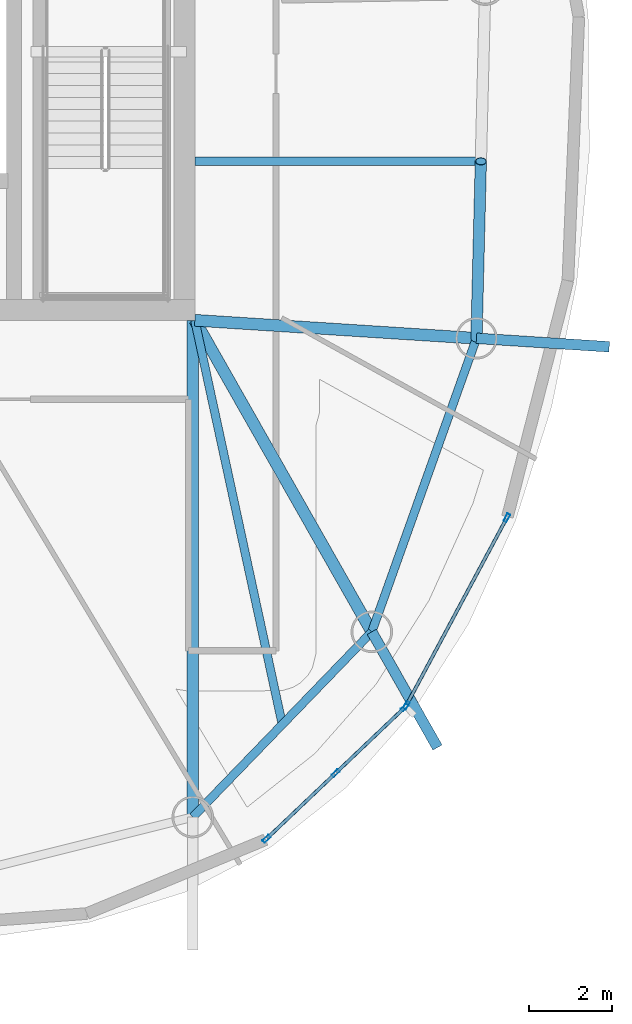
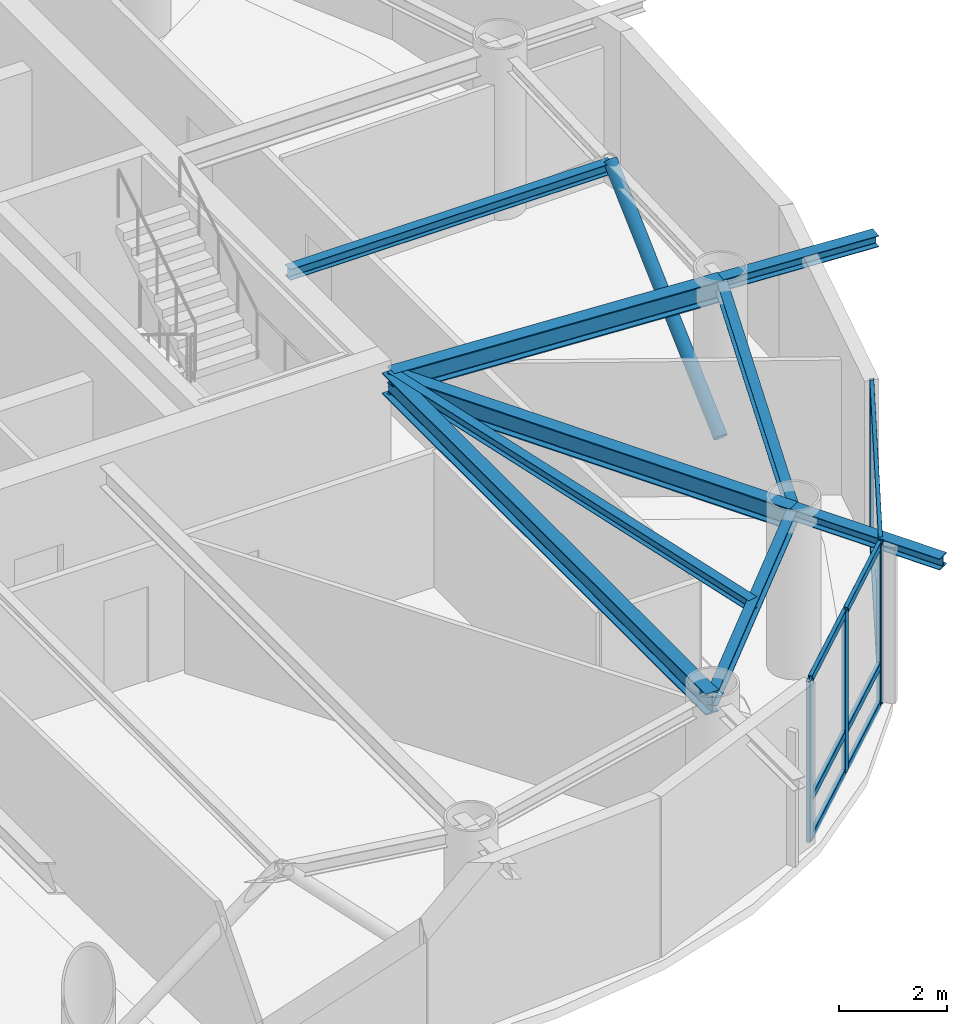
# One storey, part 5 of 16: 14 members, 9 beams, 2 elements without a shape of their own.
"""IFC4 building model written with IfcOpenShell, lengths in metres."""

from ifc_helpers import new_model, si_unit, direction, frame, origin, origin_2d, place, context, subcontext, project, spatial, hollow_rectangle, hollow_circle, i_section, extrude, material, layer, layer_set, material_profile, profile_set, type_object, element, aggregate, save


model = new_model("IFC4")

# Units and contexts
model_context = context("Model", 3, precision=1e-05, world=origin(), true_north=direction((0.0, 1.0)))
body_context = subcontext(model_context, "Body", "Model", "MODEL_VIEW")
ifc_project = project(units=[si_unit("LENGTHUNIT", "METRE"), si_unit("AREAUNIT", "SQUARE_METRE"), si_unit("VOLUMEUNIT", "CUBIC_METRE"), si_unit("PLANEANGLEUNIT", "RADIAN"), si_unit("MASSUNIT", "GRAM", prefix="KILO")], contexts=[model_context])

# Site, building, storey
site_placement = place(None, origin())
site = spatial("IfcSite", under=ifc_project, at=site_placement, CompositionType="ELEMENT")
building_placement = place(site_placement, origin())
building = spatial("IfcBuilding", under=site, at=building_placement, Name="Bramvorn Convention Spire", CompositionType="ELEMENT")
storey_placement = place(building_placement, frame((0.0, 0.0, 261.300048828125)))
storey = spatial("IfcBuildingStorey", under=building, at=storey_placement, Name="L66", CompositionType="ELEMENT", Elevation=261.300048828125)

# Beams
ifc_material_1 = material(Name="Steel CSA G40.21 Grade 350 (350W)", Category="steel")
ifc_material_profile_1 = material_profile(ifc_material_1, i_section(OverallWidth=0.201904296875, OverallDepth=0.2470703125, WebThickness=0.00732421875, FlangeThickness=0.010986328125, FilletRadius=0.011962890625, at=origin_2d()))
ifc_profile_set_1 = profile_set([ifc_material_profile_1], Name="Steel CSA G40.21 Grade 350 (350W) - W250X49")
beam_type_1 = type_object("IfcBeamType", Name="BM-W250X49", PredefinedType="JOIST", material=ifc_profile_set_1)
beam_1_placement = place(storey_placement, frame((49.25, 18.550048828125, 3.50146484375), z_axis=(0.211461445939, -0.977386339623, 0.0), x_axis=(0.977386339623, 0.211461445939, 0.0)))
element("IfcBeam", 1, at=beam_1_placement, inside=storey, type_object=beam_type_1, Name="L66 composite floor joist 01", PredefinedType="JOIST", context=body_context, shape_type="SweptSolid", body=[
    extrude(i_section(OverallWidth=0.201904296875, OverallDepth=0.2470703125, WebThickness=0.00732421875, FlangeThickness=0.010986328125, FilletRadius=0.011962890625, at=origin_2d()), origin(), (0.0, 0.0, 1.0), 9.9462890625),
])
beam_2_placement = place(storey_placement, frame((49.25, 22.373046875, 3.50146484375), z_axis=(1.0, 0.0, 0.0), x_axis=(0.0, 1.0, 0.0)))
element("IfcBeam", 2, at=beam_2_placement, inside=storey, type_object=beam_type_1, Name="L66 composite floor joist 03", PredefinedType="JOIST", context=body_context, shape_type="SweptSolid", body=[
    extrude(i_section(OverallWidth=0.201904296875, OverallDepth=0.2470703125, WebThickness=0.00732421875, FlangeThickness=0.010986328125, FilletRadius=0.011962890625, at=origin_2d()), origin(), (0.0, 0.0, 1.0), 6.879150390625),
])
ifc_material_profile_2 = material_profile(ifc_material_1, i_section(OverallWidth=0.25390625, OverallDepth=0.2529296875, WebThickness=0.008544921875, FlangeThickness=0.01416015625, FilletRadius=0.011962890625, at=origin_2d()))
ifc_profile_set_2 = profile_set([ifc_material_profile_2], Name="Steel CSA G40.21 Grade 350 (350W) - W250X73")
beam_type_2 = type_object("IfcBeamType", Name="BM-W250X73", PredefinedType="BEAM", material=ifc_profile_set_2)
beam_3_placement = place(storey_placement, frame((53.50634765625, 11.05615234375, 3.49853515625), z_axis=(0.493918961888, -0.869507940785, 0.0), x_axis=(0.869507940785, 0.493918961888, 0.0)))
element("IfcBeam", 3, at=beam_3_placement, inside=storey, type_object=beam_type_2, Name="L66 slab-edge cantilever tip beam MC02", PredefinedType="BEAM", context=body_context, shape_type="SweptSolid", body=[
    extrude(i_section(OverallWidth=0.25390625, OverallDepth=0.2529296875, WebThickness=0.008544921875, FlangeThickness=0.01416015625, FilletRadius=0.011962890625, at=origin_2d()), origin(), (0.0, 0.0, 1.0), 3.199951171875),
])
beam_4_placement = place(storey_placement, frame((56.023681640625, 18.116455078125, 3.49853515625), z_axis=(0.997959164695, -0.063855349044, 0.0), x_axis=(0.063855349044, 0.997959164695, 0.0)))
element("IfcBeam", 4, at=beam_4_placement, inside=storey, type_object=beam_type_2, Name="L66 slab-edge cantilever tip beam MC03", PredefinedType="BEAM", context=body_context, shape_type="SweptSolid", body=[
    extrude(i_section(OverallWidth=0.25390625, OverallDepth=0.2529296875, WebThickness=0.008544921875, FlangeThickness=0.01416015625, FilletRadius=0.011962890625, at=origin_2d()), origin(), (0.0, 0.0, 1.0), 3.2001953125),
])
ifc_material_profile_3 = material_profile(ifc_material_1, i_section(OverallWidth=0.202880859375, OverallDepth=0.302978515625, WebThickness=0.007568359375, FlangeThickness=0.01318359375, FilletRadius=0.013916015625, at=origin_2d()))
ifc_profile_set_3 = profile_set([ifc_material_profile_3], Name="Steel CSA G40.21 Grade 350 (350W) - W310X60")
beam_type_3 = type_object("IfcBeamType", Name="BM-W310X60", PredefinedType="JOIST", material=ifc_profile_set_3)
beam_5_placement = place(storey_placement, frame((49.199951171875, 6.60107421875, 3.473388671875), z_axis=(0.695007159797, 0.719002814898, 0.0), x_axis=(-0.719002814898, 0.695007159797, 0.0)))
element("IfcBeam", 5, at=beam_5_placement, inside=storey, type_object=beam_type_3, Name="L66 mega-column ring beam 01", PredefinedType="JOIST", context=body_context, shape_type="SweptSolid", body=[
    extrude(i_section(OverallWidth=0.202880859375, OverallDepth=0.302978515625, WebThickness=0.007568359375, FlangeThickness=0.01318359375, FilletRadius=0.013916015625, at=origin_2d()), origin(), (0.0, 0.0, 1.0), 6.1962890625),
])
beam_6_placement = place(storey_placement, frame((53.50634765625, 11.05615234375, 3.473388671875), z_axis=(0.335839090413, 0.941919373063, 0.0), x_axis=(-0.941919373063, 0.335839090413, 0.0)))
element("IfcBeam", 6, at=beam_6_placement, inside=storey, type_object=beam_type_3, Name="L66 mega-column ring beam 02", PredefinedType="JOIST", context=body_context, shape_type="SweptSolid", body=[
    extrude(i_section(OverallWidth=0.202880859375, OverallDepth=0.302978515625, WebThickness=0.007568359375, FlangeThickness=0.01318359375, FilletRadius=0.013916015625, at=origin_2d()), origin(), (0.0, 0.0, 1.0), 7.49560546875),
])
ifc_material_profile_4 = material_profile(ifc_material_1, i_section(OverallWidth=0.283935546875, OverallDepth=0.47607421875, WebThickness=0.014892578125, FlangeThickness=0.02392578125, FilletRadius=0.01806640625, at=origin_2d()))
ifc_profile_set_4 = profile_set([ifc_material_profile_4], Name="Steel CSA G40.21 Grade 350 (350W) - W460X158")
beam_type_4 = type_object("IfcBeamType", Name="BM-W460X158", PredefinedType="SPANDREL", material=ifc_profile_set_4)
beam_7_placement = place(storey_placement, frame((49.199951171875, 18.550048828125, 3.386962890625), z_axis=(0.0, -1.0, 0.0), x_axis=(1.0, 0.0, 0.0)))
element("IfcBeam", 7, at=beam_7_placement, inside=storey, type_object=beam_type_4, Name="L66 radial floor girder MC01", PredefinedType="SPANDREL", context=body_context, shape_type="SweptSolid", body=[
    extrude(i_section(OverallWidth=0.283935546875, OverallDepth=0.47607421875, WebThickness=0.014892578125, FlangeThickness=0.02392578125, FilletRadius=0.01806640625, at=origin_2d()), origin(), (0.0, 0.0, 1.0), 11.948974609375),
])
beam_8_placement = place(storey_placement, frame((49.25, 18.550048828125, 3.386962890625), z_axis=(0.493873612118, -0.869533699895, 0.0), x_axis=(0.869533699895, 0.493873612118, 0.0)))
element("IfcBeam", 8, at=beam_8_placement, inside=storey, type_object=beam_type_4, Name="L66 radial floor girder MC02", PredefinedType="SPANDREL", context=body_context, shape_type="SweptSolid", body=[
    extrude(i_section(OverallWidth=0.283935546875, OverallDepth=0.47607421875, WebThickness=0.014892578125, FlangeThickness=0.02392578125, FilletRadius=0.01806640625, at=origin_2d()), origin(), (0.0, 0.0, 1.0), 8.618408203125),
])
beam_9_placement = place(storey_placement, frame((49.25, 18.550048828125, 3.386962890625), z_axis=(0.997957536354, -0.063880792379, 0.0), x_axis=(0.063880792379, 0.997957536354, 0.0)))
element("IfcBeam", 9, at=beam_9_placement, inside=storey, type_object=beam_type_4, Name="L66 radial floor girder MC03", PredefinedType="SPANDREL", context=body_context, shape_type="SweptSolid", body=[
    extrude(i_section(OverallWidth=0.283935546875, OverallDepth=0.47607421875, WebThickness=0.014892578125, FlangeThickness=0.02392578125, FilletRadius=0.01806640625, at=origin_2d()), origin(), (0.0, 0.0, 1.0), 6.78759765625),
])

# Curtain wall, members
ifc_material_2 = material(Name="Anodised Bronze Unitised Curtain Wall", Category="aluminium")
ifc_layer = layer(ifc_material_2, 0.179931640625)
ifc_layer_set = layer_set([ifc_layer], Name="Anodised Bronze Unitised Curtain Wall - CW-OFF-FRIT")
curtain_wall_type = type_object("IfcCurtainWallType", Name="CW-OFF-FRIT", PredefinedType="USERDEFINED", material=ifc_layer_set)
curtain_wall_1_placement = place(storey_placement, origin())
curtain_wall_1 = element("IfcCurtainWall", 10, at=curtain_wall_1_placement, inside=storey, type_object=curtain_wall_type, Name="L66 fritted glass curtain wall 01", ObjectType="UNITISED CURTAIN WALL", PredefinedType="USERDEFINED")
ifc_material_3 = material(Name="Anodised Bronze Aluminium 6063-T6", Category="aluminium")
ifc_material_profile_5 = material_profile(ifc_material_3, hollow_rectangle(XDim=0.080078125, YDim=0.199951171875, WallThickness=0.00390625, InnerFilletRadius=0.0009765625, OuterFilletRadius=0.00390625, at=origin_2d()))
ifc_profile_set_5 = profile_set([ifc_material_profile_5], Name="Anodised Bronze Aluminium 6063-T6 - CWM80X200")
member_type_1 = type_object("IfcMemberType", Name="CW-MUL-180", PredefinedType="MULLION", material=ifc_profile_set_5)
member_1_placement = place(storey_placement, frame((54.300537109375, 9.23974609375, 0.0), z_axis=(0.0, 0.0, 1.0), x_axis=(0.688935359736, -0.72482278531, 0.0)))
member_1 = element("IfcMember", 11, at=member_1_placement, type_object=member_type_1, Name="CW3 mullion 1", PredefinedType="MULLION", context=body_context, shape_type="SweptSolid", body=[
    extrude(hollow_rectangle(XDim=0.080078125, YDim=0.199951171875, WallThickness=0.00390625, InnerFilletRadius=0.0009765625, OuterFilletRadius=0.00390625, at=origin_2d()), origin(), (0.0, 0.0, 1.0), 3.625),
])
member_2_placement = place(storey_placement, frame((52.636962890625, 7.658447265625, 0.0), z_axis=(0.0, 0.0, 1.0), x_axis=(0.688935359736, -0.72482278531, 0.0)))
member_2 = element("IfcMember", 12, at=member_2_placement, type_object=member_type_1, Name="CW3 mullion 2", PredefinedType="MULLION", context=body_context, shape_type="SweptSolid", body=[
    extrude(hollow_rectangle(XDim=0.080078125, YDim=0.199951171875, WallThickness=0.00390625, InnerFilletRadius=0.0009765625, OuterFilletRadius=0.00390625, at=origin_2d()), origin(), (0.0, 0.0, 1.0), 3.625),
])
member_3_placement = place(storey_placement, frame((50.97314453125, 6.0771484375, 0.0), z_axis=(0.0, 0.0, 1.0), x_axis=(0.688935359736, -0.72482278531, 0.0)))
member_3 = element("IfcMember", 13, at=member_3_placement, type_object=member_type_1, Name="CW3 mullion 3", PredefinedType="MULLION", context=body_context, shape_type="SweptSolid", body=[
    extrude(hollow_rectangle(XDim=0.080078125, YDim=0.199951171875, WallThickness=0.00390625, InnerFilletRadius=0.0009765625, OuterFilletRadius=0.00390625, at=origin_2d()), origin(), (0.0, 0.0, 1.0), 3.625),
])

curtain_wall_2_placement = place(storey_placement, origin())
curtain_wall_2 = element("IfcCurtainWall", 14, at=curtain_wall_2_placement, inside=storey, type_object=curtain_wall_type, Name="L66 fritted glass curtain wall 02", ObjectType="UNITISED CURTAIN WALL", PredefinedType="USERDEFINED")
member_4_placement = place(storey_placement, frame((56.755126953125, 13.798583984375, 0.0), z_axis=(0.0, 0.0, 1.0), x_axis=(0.88134933507, -0.472465183449, 0.0)))
member_4 = element("IfcMember", 15, at=member_4_placement, type_object=member_type_1, Name="CW3 mullion 1", PredefinedType="MULLION", context=body_context, shape_type="SweptSolid", body=[
    extrude(hollow_rectangle(XDim=0.080078125, YDim=0.199951171875, WallThickness=0.00390625, InnerFilletRadius=0.0009765625, OuterFilletRadius=0.00390625, at=origin_2d()), origin(), (0.0, 0.0, 1.0), 3.625),
])
member_5_placement = place(storey_placement, frame((54.336669921875, 9.286865234375, 0.0), z_axis=(0.0, 0.0, 1.0), x_axis=(0.88134933507, -0.472465183449, 0.0)))
member_5 = element("IfcMember", 16, at=member_5_placement, type_object=member_type_1, Name="CW3 mullion 2", PredefinedType="MULLION", context=body_context, shape_type="SweptSolid", body=[
    extrude(hollow_rectangle(XDim=0.080078125, YDim=0.199951171875, WallThickness=0.00390625, InnerFilletRadius=0.0009765625, OuterFilletRadius=0.00390625, at=origin_2d()), origin(), (0.0, 0.0, 1.0), 3.625),
])

# Member
ifc_material_profile_6 = material_profile(ifc_material_3, hollow_rectangle(XDim=0.080078125, YDim=0.159912109375, WallThickness=0.00390625, InnerFilletRadius=0.0009765625, OuterFilletRadius=0.00390625, at=origin_2d()))
ifc_profile_set_6 = profile_set([ifc_material_profile_6], Name="Anodised Bronze Aluminium 6063-T6 - CWT80X160")
member_type_2 = type_object("IfcMemberType", Name="CW-TRN-150", PredefinedType="USERDEFINED", material=ifc_profile_set_6)
member_6_placement = place(storey_placement, frame((54.27880859375, 9.218994140625, 0.030029296875), z_axis=(-0.724792153109, -0.688967586169, 0.0), x_axis=(0.688967586169, -0.724792153109, 0.0)))
member_6 = element("IfcMember", 17, at=member_6_placement, type_object=member_type_2, Name="CW3 transom 1.1", ObjectType="TRANSOM", PredefinedType="USERDEFINED", context=body_context, shape_type="SweptSolid", body=[
    extrude(hollow_rectangle(XDim=0.080078125, YDim=0.159912109375, WallThickness=0.00390625, InnerFilletRadius=0.0009765625, OuterFilletRadius=0.00390625, at=origin_2d()), origin(), (0.0, 0.0, 1.0), 2.2353515625),
])

member_7_placement = place(storey_placement, frame((54.27880859375, 9.218994140625, 0.89990234375), z_axis=(-0.724792153109, -0.688967586169, 0.0), x_axis=(0.688967586169, -0.724792153109, 0.0)))
member_7 = element("IfcMember", 18, at=member_7_placement, type_object=member_type_2, Name="CW3 transom 1.2", ObjectType="TRANSOM", PredefinedType="USERDEFINED", context=body_context, shape_type="SweptSolid", body=[
    extrude(hollow_rectangle(XDim=0.080078125, YDim=0.159912109375, WallThickness=0.00390625, InnerFilletRadius=0.0009765625, OuterFilletRadius=0.00390625, at=origin_2d()), origin(), (0.0, 0.0, 1.0), 2.2353515625),
])

member_8_placement = place(storey_placement, frame((54.27880859375, 9.218994140625, 3.594970703125), z_axis=(-0.724792153109, -0.688967586169, 0.0), x_axis=(0.688967586169, -0.724792153109, 0.0)))
member_8 = element("IfcMember", 19, at=member_8_placement, type_object=member_type_2, Name="CW3 transom 1.3", ObjectType="TRANSOM", PredefinedType="USERDEFINED", context=body_context, shape_type="SweptSolid", body=[
    extrude(hollow_rectangle(XDim=0.080078125, YDim=0.159912109375, WallThickness=0.00390625, InnerFilletRadius=0.0009765625, OuterFilletRadius=0.00390625, at=origin_2d()), origin(), (0.0, 0.0, 1.0), 2.2353515625),
])

member_9_placement = place(storey_placement, frame((52.615234375, 7.6376953125, 0.030029296875), z_axis=(-0.724843991692, -0.688913048003, 0.0), x_axis=(0.688913048003, -0.724843991692, 0.0)))
member_9 = element("IfcMember", 20, at=member_9_placement, type_object=member_type_2, Name="CW3 transom 2.1", ObjectType="TRANSOM", PredefinedType="USERDEFINED", context=body_context, shape_type="SweptSolid", body=[
    extrude(hollow_rectangle(XDim=0.080078125, YDim=0.159912109375, WallThickness=0.00390625, InnerFilletRadius=0.0009765625, OuterFilletRadius=0.00390625, at=origin_2d()), origin(), (0.0, 0.0, 1.0), 2.2353515625),
])

member_10_placement = place(storey_placement, frame((52.615234375, 7.6376953125, 0.89990234375), z_axis=(-0.724843991692, -0.688913048003, 0.0), x_axis=(0.688913048003, -0.724843991692, 0.0)))
member_10 = element("IfcMember", 21, at=member_10_placement, type_object=member_type_2, Name="CW3 transom 2.2", ObjectType="TRANSOM", PredefinedType="USERDEFINED", context=body_context, shape_type="SweptSolid", body=[
    extrude(hollow_rectangle(XDim=0.080078125, YDim=0.159912109375, WallThickness=0.00390625, InnerFilletRadius=0.0009765625, OuterFilletRadius=0.00390625, at=origin_2d()), origin(), (0.0, 0.0, 1.0), 2.2353515625),
])

member_11_placement = place(storey_placement, frame((52.615234375, 7.6376953125, 3.594970703125), z_axis=(-0.724843991692, -0.688913048003, 0.0), x_axis=(0.688913048003, -0.724843991692, 0.0)))
member_11 = element("IfcMember", 22, at=member_11_placement, type_object=member_type_2, Name="CW3 transom 2.3", ObjectType="TRANSOM", PredefinedType="USERDEFINED", context=body_context, shape_type="SweptSolid", body=[
    extrude(hollow_rectangle(XDim=0.080078125, YDim=0.159912109375, WallThickness=0.00390625, InnerFilletRadius=0.0009765625, OuterFilletRadius=0.00390625, at=origin_2d()), origin(), (0.0, 0.0, 1.0), 2.2353515625),
])

aggregate(curtain_wall_1, [member_1, member_2, member_3, member_6, member_7, member_8, member_9, member_10, member_11])

member_12_placement = place(storey_placement, frame((56.740966796875, 13.772216796875, 0.030029296875), z_axis=(-0.472435661391, -0.881365160331, 0.0), x_axis=(0.881365160331, -0.472435661391, 0.0)))
member_12 = element("IfcMember", 23, at=member_12_placement, type_object=member_type_2, Name="CW3 transom 1.1", ObjectType="TRANSOM", PredefinedType="USERDEFINED", context=body_context, shape_type="SweptSolid", body=[
    extrude(hollow_rectangle(XDim=0.080078125, YDim=0.159912109375, WallThickness=0.00390625, InnerFilletRadius=0.0009765625, OuterFilletRadius=0.00390625, at=origin_2d()), origin(), (0.0, 0.0, 1.0), 5.05908203125),
])

member_13_placement = place(storey_placement, frame((56.740966796875, 13.772216796875, 3.594970703125), z_axis=(-0.472435661391, -0.881365160331, 0.0), x_axis=(0.881365160331, -0.472435661391, 0.0)))
member_13 = element("IfcMember", 24, at=member_13_placement, type_object=member_type_2, Name="CW3 transom 1.2", ObjectType="TRANSOM", PredefinedType="USERDEFINED", context=body_context, shape_type="SweptSolid", body=[
    extrude(hollow_rectangle(XDim=0.080078125, YDim=0.159912109375, WallThickness=0.00390625, InnerFilletRadius=0.0009765625, OuterFilletRadius=0.00390625, at=origin_2d()), origin(), (0.0, 0.0, 1.0), 5.05908203125),
])

aggregate(curtain_wall_2, [member_4, member_5, member_12, member_13])

ifc_material_profile_7 = material_profile(ifc_material_1, hollow_circle(Radius=0.136474609375, WallThickness=0.0126953125, at=origin_2d()))
ifc_profile_set_7 = profile_set([ifc_material_profile_7], Name="Steel CSA G40.21 Grade 350 (350W) - CHS273X13")
member_type_3 = type_object("IfcMemberType", Name="MBR-CHS273X13", PredefinedType="BRACE", material=ifc_profile_set_7)
member_14_placement = place(storey_placement, frame((56.023681640625, 18.116455078125, 0.0), z_axis=(0.01886069185, 0.761194820373, 0.648248964319), x_axis=(-0.999693172926, 0.02477014343, 0.0)))
element("IfcMember", 25, at=member_14_placement, inside=storey, type_object=member_type_3, Name="L66 perimeter Gothic lancet brace 3A", PredefinedType="BRACE", context=body_context, shape_type="SweptSolid", body=[
    extrude(hollow_circle(Radius=0.136474609375, WallThickness=0.0126953125, at=origin_2d()), origin(), (0.0, 0.0, 1.0), 5.592041015625),
])

save(model, "model.ifc")
